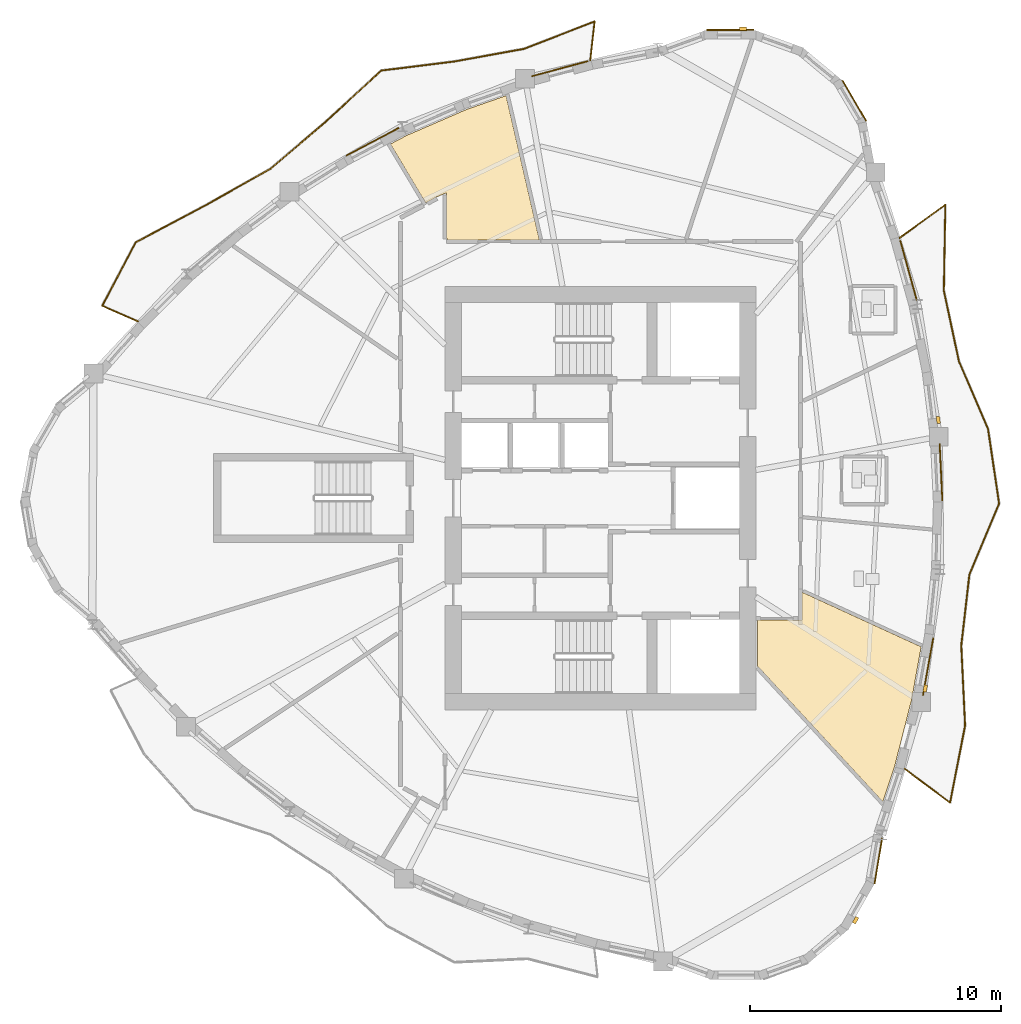
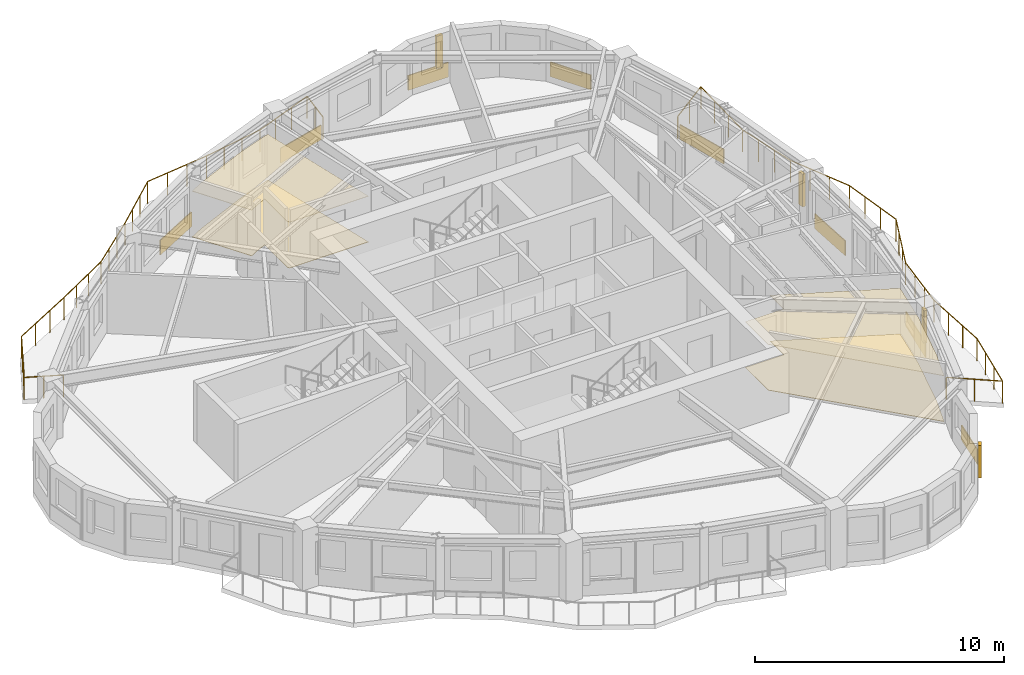
# One storey, part 11 of 12: 12 coverings, 4 shading devices, 2 railings.
"""IFC4 building model written with IfcOpenShell, lengths in metres."""

from ifc_helpers import new_model, si_unit, direction, frame, origin, origin_2d, place, context, subcontext, project, spatial, polyline, rectangle, circle, outline, extrude, source, transform, mapped, material, layer, layer_set, type_object, element, save


model = new_model("IFC4")

# Units and contexts
model_context = context("Model", 3, precision=1e-05, world=origin(), true_north=direction((0.0, 1.0)))
body_context = subcontext(model_context, "Body", "Model", "MODEL_VIEW")
ifc_project = project(units=[si_unit("LENGTHUNIT", "METRE"), si_unit("AREAUNIT", "SQUARE_METRE"), si_unit("VOLUMEUNIT", "CUBIC_METRE"), si_unit("PLANEANGLEUNIT", "RADIAN"), si_unit("MASSUNIT", "GRAM", prefix="KILO")], contexts=[model_context])

# Site, building, storey
site_placement = place(None, origin())
site = spatial("IfcSite", under=ifc_project, at=site_placement, CompositionType="ELEMENT")
building_placement = place(site_placement, origin())
building = spatial("IfcBuilding", under=site, at=building_placement, Name="Qafzar Sky-Pleat Residences", CompositionType="ELEMENT")
storey_placement = place(building_placement, frame((0.0, 0.0, 142.60009765625)))
storey = spatial("IfcBuildingStorey", under=building, at=storey_placement, Name="L42", CompositionType="ELEMENT", Elevation=142.60009765625)

# Coverings
ifc_material_1 = material(Name="Perforated acoustic gypsum board ceiling")
ifc_layer_1 = layer(ifc_material_1, 0.02001953125)
ifc_layer_set_1 = layer_set([ifc_layer_1], Name="Perforated acoustic gypsum board ceiling")
covering_type_1 = type_object("IfcCoveringType", Name="COV-CEIL-ACOUSTIC", PredefinedType="CEILING", material=ifc_layer_set_1)
covering_1_placement = place(storey_placement, frame((0.0, 0.0, 2.239990234375)))
element("IfcCovering", 1, at=covering_1_placement, inside=storey, type_object=covering_type_1, Name="L42 Communal Kitchen Acoustic Ceiling", PredefinedType="CEILING", context=body_context, shape_type="SweptSolid", body=[
    extrude(outline(polyline([(22.614013671875, 40.470703125), (24.9873046875, 41.50244140625), (26.584228515625, 42.059814453125), (27.9150390625, 36.2900390625), (24.2666015625, 36.2900390625), (24.2099609375, 36.384521484375), (24.2099609375, 38.1875), (23.797119140625, 38.008056640625), (23.373046875, 37.7841796875), (21.969970703125, 40.130615234375), (22.614013671875, 40.470703125)])), origin(), (0.0, 0.0, 1.0), 0.02001953125),
])
covering_2_placement = place(storey_placement, frame((0.0, 0.0, 2.239990234375)))
element("IfcCovering", 2, at=covering_2_placement, inside=storey, type_object=covering_type_1, Name="L42 Co-Living Lounge Acoustic Ceiling", PredefinedType="CEILING", context=body_context, shape_type="SweptSolid", body=[
    extrude(outline(polyline([(42.768798828125, 17.944580078125), (42.097900390625, 15.31982421875), (41.62109375, 13.880615234375), (36.610107421875, 19.30810546875), (36.610107421875, 21.139892578125), (38.389892578125, 21.139892578125), (38.389892578125, 22.246337890625), (43.150390625, 20.06298828125), (42.768798828125, 17.944580078125)])), origin(), (0.0, 0.0, 1.0), 0.02001953125),
])
ifc_material_2 = material(Name="Honed porcelain and Riyadh stone tile flooring", Category="masonry")
ifc_layer_2 = layer(ifc_material_2, 0.02001953125)
ifc_layer_set_2 = layer_set([ifc_layer_2], Name="Honed porcelain and Riyadh stone tile flooring")
covering_type_2 = type_object("IfcCoveringType", Name="COV-FLR-PORCELAIN", PredefinedType="FLOORING", material=ifc_layer_set_2)
covering_3_placement = place(storey_placement, origin())
element("IfcCovering", 3, at=covering_3_placement, inside=storey, type_object=covering_type_2, Name="L42 Communal Kitchen Honed Stone Flooring", PredefinedType="FLOORING", context=body_context, shape_type="SweptSolid", body=[
    extrude(outline(polyline([(22.614013671875, 40.470703125), (24.9873046875, 41.50244140625), (26.584228515625, 42.059814453125), (27.9150390625, 36.2900390625), (24.2666015625, 36.2900390625), (24.2099609375, 36.384521484375), (24.2099609375, 38.1875), (23.797119140625, 38.008056640625), (23.373046875, 37.7841796875), (21.969970703125, 40.130615234375), (22.614013671875, 40.470703125)])), origin(), (0.0, 0.0, 1.0), 0.02001953125),
])
covering_4_placement = place(storey_placement, origin())
element("IfcCovering", 4, at=covering_4_placement, inside=storey, type_object=covering_type_2, Name="L42 Co-Living Lounge Honed Stone Flooring", PredefinedType="FLOORING", context=body_context, shape_type="SweptSolid", body=[
    extrude(outline(polyline([(42.768798828125, 17.944580078125), (42.097900390625, 15.31982421875), (41.62109375, 13.880615234375), (36.610107421875, 19.30810546875), (36.610107421875, 21.139892578125), (38.389892578125, 21.139892578125), (38.389892578125, 22.246337890625), (43.150390625, 20.06298828125), (42.768798828125, 17.944580078125)])), origin(), (0.0, 0.0, 1.0), 0.02001953125),
])

# Shading devices
ifc_material_3 = material(Name="Honed Riyadh limestone solar fin", Category="masonry")
ifc_layer_3 = layer(ifc_material_3, 0.139892578125)
ifc_layer_set_3 = layer_set([ifc_layer_3], Name="Honed Riyadh limestone solar fin")
shading_device_type = type_object("IfcShadingDeviceType", Name="SHD-FIN-STONE", PredefinedType="SHUTTER", material=ifc_layer_set_3)
shared_shape_1 = source(origin(), body_context, "Body", "SweptSolid", [
    extrude(rectangle(XDim=0.139892578125, YDim=0.280029296875, at=origin_2d()), origin(), (0.0, 0.0, 1.0), 1.60009765625),
])
for number, where, z_axis, x_axis, name in (
    (5, (40.53369140625, 9.155517578125, 0.599853515625), (0.0, 0.0, 1.0), (0.868430786621, -0.495810416236, 0.0), "L42 Limestone Solar Fin 21"),
    (6, (43.314208984375, 18.405029296875, 0.599853515625), (0.0, 0.0, 1.0), (0.98418163993, -0.177162353861, 0.0), "L42 Limestone Solar Fin 25"),
    (7, (43.834716796875, 29.11767578125, 0.599853515625), (0.0, 0.0, 1.0), (0.992425702068, 0.122846350678, 0.0), "L42 Limestone Solar Fin 29"),
    (8, (36.04345703125, 44.72509765625, 0.599853515625), (0.0, 0.0, 1.0), (-0.002443761091, 0.999997014011, 0.0), "L42 Limestone Solar Fin 37"),
):
    element("IfcShadingDevice", number, at=place(storey_placement, frame(where, z_axis=z_axis, x_axis=x_axis)), inside=storey, type_object=shading_device_type, Name=name, PredefinedType="SHUTTER", context=body_context, shape_type="MappedRepresentation", body=[
        mapped(shared_shape_1, transform((0.0, 0.0, 0.0), x_axis=(1.0, 0.0, 0.0), y_axis=(0.0, 1.0, 0.0), z_axis=(0.0, 0.0, 1.0), scale=1.0)),
    ])

# Coverings
ifc_material_4 = material(Name="Honed Riyadh Tuwaiq limestone cladding", Category="masonry")
ifc_layer_4 = layer(ifc_material_4, 0.044921875)
ifc_layer_set_4 = layer_set([ifc_layer_4], Name="Honed Riyadh Tuwaiq limestone cladding")
covering_type_3 = type_object("IfcCoveringType", Name="COV-CLAD-STONE", PredefinedType="CLADDING", material=ifc_layer_set_4)
shared_shape_2 = source(origin(), body_context, "Body", "SweptSolid", [
    extrude(rectangle(XDim=1.873046875, YDim=0.044921875, at=origin_2d()), origin(), (0.0, 0.0, 1.0), 0.719970703125),
])
for number, where, z_axis, x_axis, name in (
    (9, (40.484130859375, 41.849609375, 0.02001953125), (0.0, 0.0, 1.0), (-0.50623242321, 0.862397085855, 0.0), "L42 Riyadh Limestone Spandrel Cladding 34"),
    (10, (35.52490234375, 44.680908203125, 0.02001953125), (0.0, 0.0, 1.0), (-0.999996997227, -0.002450619708, 0.0), "L42 Riyadh Limestone Spandrel Cladding 37"),
):
    element("IfcCovering", number, at=place(storey_placement, frame(where, z_axis=z_axis, x_axis=x_axis)), inside=storey, type_object=covering_type_3, Name=name, PredefinedType="CLADDING", context=body_context, shape_type="MappedRepresentation", body=[
        mapped(shared_shape_2, transform((0.0, 0.0, 0.0), x_axis=(1.0, 0.0, 0.0), y_axis=(0.0, 1.0, 0.0), z_axis=(0.0, 0.0, 1.0), scale=1.0)),
    ])
shared_shape_3 = source(origin(), body_context, "Body", "SweptSolid", [
    extrude(rectangle(XDim=1.845703125, YDim=0.044921875, at=origin_2d()), origin(), (0.0, 0.0, 1.0), 0.719970703125),
])
covering_5_placement = place(storey_placement, frame((41.44189453125, 11.5224609375, 0.02001953125), z_axis=(0.0, 0.0, 1.0), x_axis=(0.165695669574, 0.986176933965, 0.0)))
element("IfcCovering", 11, at=covering_5_placement, inside=storey, type_object=covering_type_3, Name="L42 Riyadh Limestone Spandrel Cladding 22", PredefinedType="CLADDING", context=body_context, shape_type="MappedRepresentation", body=[
    mapped(shared_shape_3, transform((0.0, 0.0, 0.0), x_axis=(1.0, 0.0, 0.0), y_axis=(0.0, 1.0, 0.0), z_axis=(0.0, 0.0, 1.0), scale=1.0)),
])

# Railings
ifc_material_5 = material(Name="Laminated glass and bronze steel balustrade", Category="steel")
railing_type = type_object("IfcRailingType", Name="RAIL-BAL-1100", PredefinedType="BALUSTRADE", material=ifc_material_5)
shared_shape_4 = source(origin(), body_context, "Body", "SweptSolid", [
    extrude(circle(Radius=0.02392578125, at=origin_2d()), frame((0.0, 0.0, 1.076171875), z_axis=(0.801738370119, -0.597675150796, 0.0), x_axis=(0.597675150796, 0.801738370119, 0.0)), (0.0, 0.0, 1.0), 2.270751953125),
    extrude(circle(Radius=0.02392578125, at=origin_2d()), frame((1.820556640625, -1.357177734375, 1.076171875), z_axis=(0.191812510841, 0.981431587369, 0.0), x_axis=(-0.981431587369, 0.191812510841, 0.0)), (0.0, 0.0, 1.0), 3.13232421875),
    extrude(circle(Radius=0.02392578125, at=origin_2d()), frame((2.42138671875, 1.717041015625, 1.076171875), z_axis=(-0.047909482619, 0.99885168142, 0.0), x_axis=(-0.99885168142, -0.047909482619, 0.0)), (0.0, 0.0, 1.0), 3.2001953125),
    extrude(circle(Radius=0.02392578125, at=origin_2d()), frame((2.26806640625, 4.91357421875, 1.076171875), z_axis=(0.113889523289, 0.993493420454, 0.0), x_axis=(-0.993493420454, 0.113889523289, 0.0)), (0.0, 0.0, 1.0), 2.85107421875),
    extrude(circle(Radius=0.02392578125, at=origin_2d()), frame((2.5927734375, 7.74609375, 1.076171875), z_axis=(0.386910202033, 0.922117397929, 0.0), x_axis=(-0.922117397929, 0.386910202033, 0.0)), (0.0, 0.0, 1.0), 3.0654296875),
    extrude(circle(Radius=0.02392578125, at=origin_2d()), frame((3.77880859375, 10.57275390625, 1.076171875), z_axis=(-0.146907517821, 0.98915023187, 0.0), x_axis=(-0.98915023187, -0.146907517821, 0.0)), (0.0, 0.0, 1.0), 3.008056640625),
    extrude(circle(Radius=0.02392578125, at=origin_2d()), frame((3.3369140625, 13.548095703125, 1.076171875), z_axis=(-0.39447898489, 0.918904962703, 0.0), x_axis=(-0.918904962703, -0.39447898489, 0.0)), (0.0, 0.0, 1.0), 2.94775390625),
    extrude(circle(Radius=0.02392578125, at=origin_2d()), frame((2.174072265625, 16.2568359375, 1.076171875), z_axis=(-0.208891662036, 0.977938788234, 0.0), x_axis=(-0.977938788234, -0.208891662036, 0.0)), (0.0, 0.0, 1.0), 2.87744140625),
    extrude(circle(Radius=0.02392578125, at=origin_2d()), frame((1.572998046875, 19.07080078125, 1.076171875), z_axis=(0.017554871882, 0.999845901363, 0.0), x_axis=(-0.999845901363, 0.017554871882, 0.0)), (0.0, 0.0, 1.0), 3.43505859375),
    extrude(circle(Radius=0.02392578125, at=origin_2d()), frame((1.63330078125, 22.50537109375, 1.076171875), z_axis=(-0.809028881975, -0.587768890067, 0.0), x_axis=(0.587768890067, -0.809028881975, 0.0)), (0.0, 0.0, 1.0), 2.270751953125),
    extrude(circle(Radius=0.02099609375, at=origin_2d()), origin(), (0.0, 0.0, 1.0), 1.052001953125),
    extrude(circle(Radius=0.02099609375, at=origin_2d()), frame((0.91015625, -0.6787109375, 0.0)), (0.0, 0.0, 1.0), 1.052001953125),
    extrude(circle(Radius=0.02099609375, at=origin_2d()), frame((1.820556640625, -1.357177734375, 0.0)), (0.0, 0.0, 1.0), 1.052001953125),
    extrude(circle(Radius=0.02099609375, at=origin_2d()), frame((2.020751953125, -0.33251953125, 0.0)), (0.0, 0.0, 1.0), 1.052001953125),
    extrude(circle(Radius=0.02099609375, at=origin_2d()), frame((2.22119140625, 0.6923828125, 0.0)), (0.0, 0.0, 1.0), 1.052001953125),
    extrude(circle(Radius=0.02099609375, at=origin_2d()), frame((2.42138671875, 1.717041015625, 0.0)), (0.0, 0.0, 1.0), 1.052001953125),
    extrude(circle(Radius=0.02099609375, at=origin_2d()), frame((2.370361328125, 2.782470703125, 0.0)), (0.0, 0.0, 1.0), 1.052001953125),
    extrude(circle(Radius=0.02099609375, at=origin_2d()), frame((2.319091796875, 3.84814453125, 0.0)), (0.0, 0.0, 1.0), 1.052001953125),
    extrude(circle(Radius=0.02099609375, at=origin_2d()), frame((2.26806640625, 4.91357421875, 0.0)), (0.0, 0.0, 1.0), 1.052001953125),
    extrude(circle(Radius=0.02099609375, at=origin_2d()), frame((2.376220703125, 5.857666015625, 0.0)), (0.0, 0.0, 1.0), 1.052001953125),
    extrude(circle(Radius=0.02099609375, at=origin_2d()), frame((2.484619140625, 6.802001953125, 0.0)), (0.0, 0.0, 1.0), 1.052001953125),
    extrude(circle(Radius=0.02099609375, at=origin_2d()), frame((2.5927734375, 7.74609375, 0.0)), (0.0, 0.0, 1.0), 1.052001953125),
    extrude(circle(Radius=0.02099609375, at=origin_2d()), frame((2.988037109375, 8.688232421875, 0.0)), (0.0, 0.0, 1.0), 1.052001953125),
    extrude(circle(Radius=0.02099609375, at=origin_2d()), frame((3.383544921875, 9.630615234375, 0.0)), (0.0, 0.0, 1.0), 1.052001953125),
    extrude(circle(Radius=0.02099609375, at=origin_2d()), frame((3.77880859375, 10.57275390625, 0.0)), (0.0, 0.0, 1.0), 1.052001953125),
    extrude(circle(Radius=0.02099609375, at=origin_2d()), frame((3.631591796875, 11.564453125, 0.0)), (0.0, 0.0, 1.0), 1.052001953125),
    extrude(circle(Radius=0.02099609375, at=origin_2d()), frame((3.484130859375, 12.556396484375, 0.0)), (0.0, 0.0, 1.0), 1.052001953125),
    extrude(circle(Radius=0.02099609375, at=origin_2d()), frame((3.3369140625, 13.548095703125, 0.0)), (0.0, 0.0, 1.0), 1.052001953125),
    extrude(circle(Radius=0.02099609375, at=origin_2d()), frame((2.94921875, 14.450927734375, 0.0)), (0.0, 0.0, 1.0), 1.052001953125),
    extrude(circle(Radius=0.02099609375, at=origin_2d()), frame((2.561767578125, 15.35400390625, 0.0)), (0.0, 0.0, 1.0), 1.052001953125),
    extrude(circle(Radius=0.02099609375, at=origin_2d()), frame((2.174072265625, 16.2568359375, 0.0)), (0.0, 0.0, 1.0), 1.052001953125),
    extrude(circle(Radius=0.02099609375, at=origin_2d()), frame((1.9736328125, 17.19482421875, 0.0)), (0.0, 0.0, 1.0), 1.052001953125),
    extrude(circle(Radius=0.02099609375, at=origin_2d()), frame((1.7734375, 18.1328125, 0.0)), (0.0, 0.0, 1.0), 1.052001953125),
    extrude(circle(Radius=0.02099609375, at=origin_2d()), frame((1.572998046875, 19.07080078125, 0.0)), (0.0, 0.0, 1.0), 1.052001953125),
    extrude(circle(Radius=0.02099609375, at=origin_2d()), frame((1.593017578125, 20.215576171875, 0.0)), (0.0, 0.0, 1.0), 1.052001953125),
    extrude(circle(Radius=0.02099609375, at=origin_2d()), frame((1.61328125, 21.360595703125, 0.0)), (0.0, 0.0, 1.0), 1.052001953125),
    extrude(circle(Radius=0.02099609375, at=origin_2d()), frame((1.63330078125, 22.50537109375, 0.0)), (0.0, 0.0, 1.0), 1.052001953125),
    extrude(circle(Radius=0.02099609375, at=origin_2d()), frame((0.71484375, 21.837890625, 0.0)), (0.0, 0.0, 1.0), 1.052001953125),
    extrude(circle(Radius=0.02099609375, at=origin_2d()), frame((-0.203857421875, 21.170654296875, 0.0)), (0.0, 0.0, 1.0), 1.052001953125),
])
railing_1_placement = place(storey_placement, frame((42.48193359375, 15.202880859375, 0.0)))
element("IfcRailing", 12, at=railing_1_placement, inside=storey, type_object=railing_type, Name="L42 Pleated Balcony 1 Balustrade", PredefinedType="BALUSTRADE", context=body_context, shape_type="MappedRepresentation", body=[
    mapped(shared_shape_4, transform((0.0, 0.0, 0.0), x_axis=(1.0, 0.0, 0.0), y_axis=(0.0, 1.0, 0.0), z_axis=(0.0, 0.0, 1.0), scale=1.0)),
])
shared_shape_5 = source(origin(), body_context, "Body", "SweptSolid", [
    extrude(circle(Radius=0.02392578125, at=origin_2d()), frame((0.0, 0.0, 1.076171875), z_axis=(0.110618309262, 0.993862963218, 0.0), x_axis=(-0.993862963218, 0.110618309262, 0.0)), (0.0, 0.0, 1.0), 1.578125),
    extrude(circle(Radius=0.02392578125, at=origin_2d()), frame((0.174560546875, 1.568359375, 1.076171875), z_axis=(-0.932479533702, -0.361222811056, 0.0), x_axis=(0.361222811056, -0.932479533702, 0.0)), (0.0, 0.0, 1.0), 3.0244140625),
    extrude(circle(Radius=0.02392578125, at=origin_2d()), frame((-2.645751953125, 0.475830078125, 1.076171875), z_axis=(-0.983907450095, -0.178678844993, 0.0), x_axis=(0.178678844993, -0.983907450095, 0.0)), (0.0, 0.0, 1.0), 2.807861328125),
    extrude(circle(Radius=0.02392578125, at=origin_2d()), frame((-5.408447265625, -0.02587890625, 1.076171875), z_axis=(-0.992323623846, -0.12366820754, 0.0), x_axis=(0.12366820754, -0.992323623846, 0.0)), (0.0, 0.0, 1.0), 2.951416015625),
    extrude(circle(Radius=0.02392578125, at=origin_2d()), frame((-8.337158203125, -0.390869140625, 1.076171875), z_axis=(-0.736138828118, -0.676830573879, 0.0), x_axis=(0.676830573879, -0.736138828118, 0.0)), (0.0, 0.0, 1.0), 3.066650390625),
    extrude(circle(Radius=0.02392578125, at=origin_2d()), frame((-10.5947265625, -2.466552734375, 1.076171875), z_axis=(-0.761156865592, -0.648567826802, 0.0), x_axis=(0.648567826802, -0.761156865592, 0.0)), (0.0, 0.0, 1.0), 2.8427734375),
    extrude(circle(Radius=0.02392578125, at=origin_2d()), frame((-12.758544921875, -4.310302734375, 1.076171875), z_axis=(-0.872004474048, -0.489497903203, 0.0), x_axis=(0.489497903203, -0.872004474048, 0.0)), (0.0, 0.0, 1.0), 2.916259765625),
    extrude(circle(Radius=0.02392578125, at=origin_2d()), frame((-15.301513671875, -5.73779296875, 1.076171875), z_axis=(-0.883474524435, -0.468479204101, 0.0), x_axis=(0.468479204101, -0.883474524435, 0.0)), (0.0, 0.0, 1.0), 3.204345703125),
    extrude(circle(Radius=0.02392578125, at=origin_2d()), frame((-18.132568359375, -7.239013671875, 1.076171875), z_axis=(-0.46738333082, -0.884054761919, 0.0), x_axis=(0.884054761919, -0.46738333082, 0.0)), (0.0, 0.0, 1.0), 2.869384765625),
    extrude(circle(Radius=0.02392578125, at=origin_2d()), frame((-19.4736328125, -9.775634765625, 1.076171875), z_axis=(0.916011699068, -0.401151551374, 0.0), x_axis=(0.401151551374, 0.916011699068, 0.0)), (0.0, 0.0, 1.0), 1.578125),
    extrude(circle(Radius=0.02099609375, at=origin_2d()), origin(), (0.0, 0.0, 1.0), 1.052001953125),
    extrude(circle(Radius=0.02099609375, at=origin_2d()), frame((0.08740234375, 0.7841796875, 0.0)), (0.0, 0.0, 1.0), 1.052001953125),
    extrude(circle(Radius=0.02099609375, at=origin_2d()), frame((0.174560546875, 1.568359375, 0.0)), (0.0, 0.0, 1.0), 1.052001953125),
    extrude(circle(Radius=0.02099609375, at=origin_2d()), frame((-0.765625, 1.2041015625, 0.0)), (0.0, 0.0, 1.0), 1.052001953125),
    extrude(circle(Radius=0.02099609375, at=origin_2d()), frame((-1.70556640625, 0.840087890625, 0.0)), (0.0, 0.0, 1.0), 1.052001953125),
    extrude(circle(Radius=0.02099609375, at=origin_2d()), frame((-2.645751953125, 0.475830078125, 0.0)), (0.0, 0.0, 1.0), 1.052001953125),
    extrude(circle(Radius=0.02099609375, at=origin_2d()), frame((-3.566650390625, 0.30859375, 0.0)), (0.0, 0.0, 1.0), 1.052001953125),
    extrude(circle(Radius=0.02099609375, at=origin_2d()), frame((-4.487548828125, 0.141357421875, 0.0)), (0.0, 0.0, 1.0), 1.052001953125),
    extrude(circle(Radius=0.02099609375, at=origin_2d()), frame((-5.408447265625, -0.02587890625, 0.0)), (0.0, 0.0, 1.0), 1.052001953125),
    extrude(circle(Radius=0.02099609375, at=origin_2d()), frame((-6.384765625, -0.1474609375, 0.0)), (0.0, 0.0, 1.0), 1.052001953125),
    extrude(circle(Radius=0.02099609375, at=origin_2d()), frame((-7.36083984375, -0.269287109375, 0.0)), (0.0, 0.0, 1.0), 1.052001953125),
    extrude(circle(Radius=0.02099609375, at=origin_2d()), frame((-8.337158203125, -0.390869140625, 0.0)), (0.0, 0.0, 1.0), 1.052001953125),
    extrude(circle(Radius=0.02099609375, at=origin_2d()), frame((-9.089599609375, -1.082763671875, 0.0)), (0.0, 0.0, 1.0), 1.052001953125),
    extrude(circle(Radius=0.02099609375, at=origin_2d()), frame((-9.84228515625, -1.774658203125, 0.0)), (0.0, 0.0, 1.0), 1.052001953125),
    extrude(circle(Radius=0.02099609375, at=origin_2d()), frame((-10.5947265625, -2.466552734375, 0.0)), (0.0, 0.0, 1.0), 1.052001953125),
    extrude(circle(Radius=0.02099609375, at=origin_2d()), frame((-11.31591796875, -3.0810546875, 0.0)), (0.0, 0.0, 1.0), 1.052001953125),
    extrude(circle(Radius=0.02099609375, at=origin_2d()), frame((-12.037353515625, -3.69580078125, 0.0)), (0.0, 0.0, 1.0), 1.052001953125),
    extrude(circle(Radius=0.02099609375, at=origin_2d()), frame((-12.758544921875, -4.310302734375, 0.0)), (0.0, 0.0, 1.0), 1.052001953125),
    extrude(circle(Radius=0.02099609375, at=origin_2d()), frame((-13.606201171875, -4.7861328125, 0.0)), (0.0, 0.0, 1.0), 1.052001953125),
    extrude(circle(Radius=0.02099609375, at=origin_2d()), frame((-14.453857421875, -5.261962890625, 0.0)), (0.0, 0.0, 1.0), 1.052001953125),
    extrude(circle(Radius=0.02099609375, at=origin_2d()), frame((-15.301513671875, -5.73779296875, 0.0)), (0.0, 0.0, 1.0), 1.052001953125),
    extrude(circle(Radius=0.02099609375, at=origin_2d()), frame((-16.2451171875, -6.23828125, 0.0)), (0.0, 0.0, 1.0), 1.052001953125),
    extrude(circle(Radius=0.02099609375, at=origin_2d()), frame((-17.18896484375, -6.738525390625, 0.0)), (0.0, 0.0, 1.0), 1.052001953125),
    extrude(circle(Radius=0.02099609375, at=origin_2d()), frame((-18.132568359375, -7.239013671875, 0.0)), (0.0, 0.0, 1.0), 1.052001953125),
    extrude(circle(Radius=0.02099609375, at=origin_2d()), frame((-18.57958984375, -8.08447265625, 0.0)), (0.0, 0.0, 1.0), 1.052001953125),
    extrude(circle(Radius=0.02099609375, at=origin_2d()), frame((-19.026611328125, -8.93017578125, 0.0)), (0.0, 0.0, 1.0), 1.052001953125),
    extrude(circle(Radius=0.02099609375, at=origin_2d()), frame((-19.4736328125, -9.775634765625, 0.0)), (0.0, 0.0, 1.0), 1.052001953125),
    extrude(circle(Radius=0.02099609375, at=origin_2d()), frame((-18.7509765625, -10.09228515625, 0.0)), (0.0, 0.0, 1.0), 1.052001953125),
    extrude(circle(Radius=0.02099609375, at=origin_2d()), frame((-18.028076171875, -10.40869140625, 0.0)), (0.0, 0.0, 1.0), 1.052001953125),
])
railing_2_placement = place(storey_placement, frame((29.943359375, 43.451171875, 0.0)))
element("IfcRailing", 13, at=railing_2_placement, inside=storey, type_object=railing_type, Name="L42 Pleated Balcony 2 Balustrade", PredefinedType="BALUSTRADE", context=body_context, shape_type="MappedRepresentation", body=[
    mapped(shared_shape_5, transform((0.0, 0.0, 0.0), x_axis=(1.0, 0.0, 0.0), y_axis=(0.0, 1.0, 0.0), z_axis=(0.0, 0.0, 1.0), scale=1.0)),
])

# Coverings
shared_shape_6 = source(origin(), body_context, "Body", "SweptSolid", [
    extrude(rectangle(XDim=2.3173828125, YDim=0.044921875, at=origin_2d()), origin(), (0.0, 0.0, 1.0), 0.719970703125),
])
covering_6_placement = place(storey_placement, frame((43.427490234375, 19.277099609375, 0.02001953125), z_axis=(0.0, 0.0, 1.0), x_axis=(0.177176321784, 0.984179125464, 0.0)))
element("IfcCovering", 14, at=covering_6_placement, inside=storey, type_object=covering_type_3, Name="L42 Riyadh Limestone Spandrel Cladding 25", PredefinedType="CLADDING", context=body_context, shape_type="MappedRepresentation", body=[
    mapped(shared_shape_6, transform((0.0, 0.0, 0.0), x_axis=(1.0, 0.0, 0.0), y_axis=(0.0, 1.0, 0.0), z_axis=(0.0, 0.0, 1.0), scale=1.0)),
])
shared_shape_7 = source(origin(), body_context, "Body", "SweptSolid", [
    extrude(rectangle(XDim=2.276611328125, YDim=0.044921875, at=origin_2d()), origin(), (0.0, 0.0, 1.0), 0.719970703125),
])
covering_7_placement = place(storey_placement, frame((43.94189453125, 27.0302734375, 0.02001953125), z_axis=(0.0, 0.0, 1.0), x_axis=(-0.047597079458, 0.998866616735, 0.0)))
element("IfcCovering", 15, at=covering_7_placement, inside=storey, type_object=covering_type_3, Name="L42 Riyadh Limestone Spandrel Cladding 28", PredefinedType="CLADDING", context=body_context, shape_type="MappedRepresentation", body=[
    mapped(shared_shape_7, transform((0.0, 0.0, 0.0), x_axis=(1.0, 0.0, 0.0), y_axis=(0.0, 1.0, 0.0), z_axis=(0.0, 0.0, 1.0), scale=1.0)),
])
shared_shape_8 = source(origin(), body_context, "Body", "SweptSolid", [
    extrude(rectangle(XDim=2.47900390625, YDim=0.044921875, at=origin_2d()), origin(), (0.0, 0.0, 1.0), 0.719970703125),
])
covering_8_placement = place(storey_placement, frame((42.646240234375, 35.081298828125, 0.02001953125), z_axis=(0.0, 0.0, 1.0), x_axis=(-0.266362894968, 0.963872817432, 0.0)))
element("IfcCovering", 16, at=covering_8_placement, inside=storey, type_object=covering_type_3, Name="L42 Riyadh Limestone Spandrel Cladding 31", PredefinedType="CLADDING", context=body_context, shape_type="MappedRepresentation", body=[
    mapped(shared_shape_8, transform((0.0, 0.0, 0.0), x_axis=(1.0, 0.0, 0.0), y_axis=(0.0, 1.0, 0.0), z_axis=(0.0, 0.0, 1.0), scale=1.0)),
])
shared_shape_9 = source(origin(), body_context, "Body", "SweptSolid", [
    extrude(rectangle(XDim=2.31640625, YDim=0.044921875, at=origin_2d()), origin(), (0.0, 0.0, 1.0), 0.719970703125),
])
covering_9_placement = place(storey_placement, frame((28.73046875, 43.135009765625, 0.02001953125), z_axis=(0.0, 0.0, 1.0), x_axis=(-0.965460656968, -0.260548881877, 0.0)))
element("IfcCovering", 17, at=covering_9_placement, inside=storey, type_object=covering_type_3, Name="L42 Riyadh Limestone Spandrel Cladding 40", PredefinedType="CLADDING", context=body_context, shape_type="MappedRepresentation", body=[
    mapped(shared_shape_9, transform((0.0, 0.0, 0.0), x_axis=(1.0, 0.0, 0.0), y_axis=(0.0, 1.0, 0.0), z_axis=(0.0, 0.0, 1.0), scale=1.0)),
])
shared_shape_10 = source(origin(), body_context, "Body", "SweptSolid", [
    extrude(rectangle(XDim=2.358154296875, YDim=0.044921875, at=origin_2d()), origin(), (0.0, 0.0, 1.0), 0.719970703125),
])
covering_10_placement = place(storey_placement, frame((21.25830078125, 40.220947265625, 0.02001953125), z_axis=(0.0, 0.0, 1.0), x_axis=(-0.884396130173, -0.466737061883, 0.0)))
element("IfcCovering", 18, at=covering_10_placement, inside=storey, type_object=covering_type_3, Name="L42 Riyadh Limestone Spandrel Cladding 43", PredefinedType="CLADDING", context=body_context, shape_type="MappedRepresentation", body=[
    mapped(shared_shape_10, transform((0.0, 0.0, 0.0), x_axis=(1.0, 0.0, 0.0), y_axis=(0.0, 1.0, 0.0), z_axis=(0.0, 0.0, 1.0), scale=1.0)),
])

save(model, "model.ifc")
